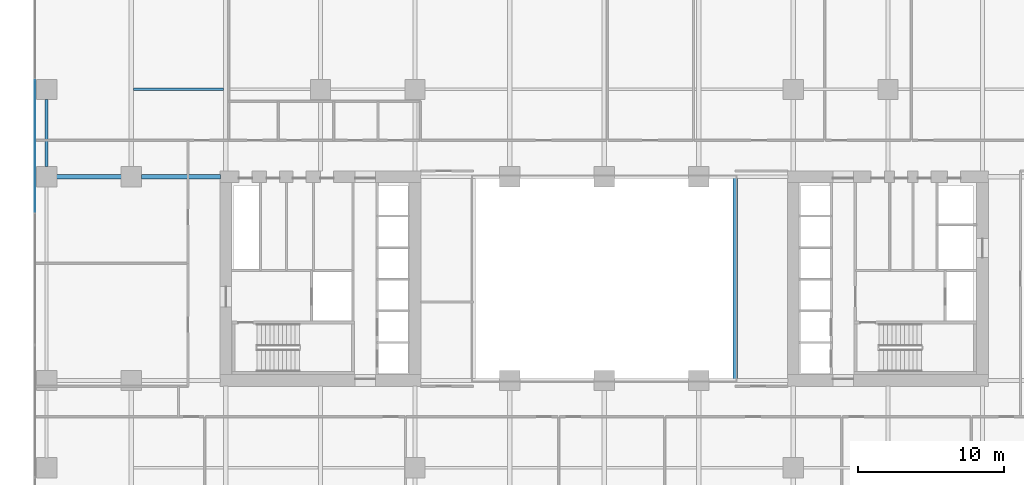
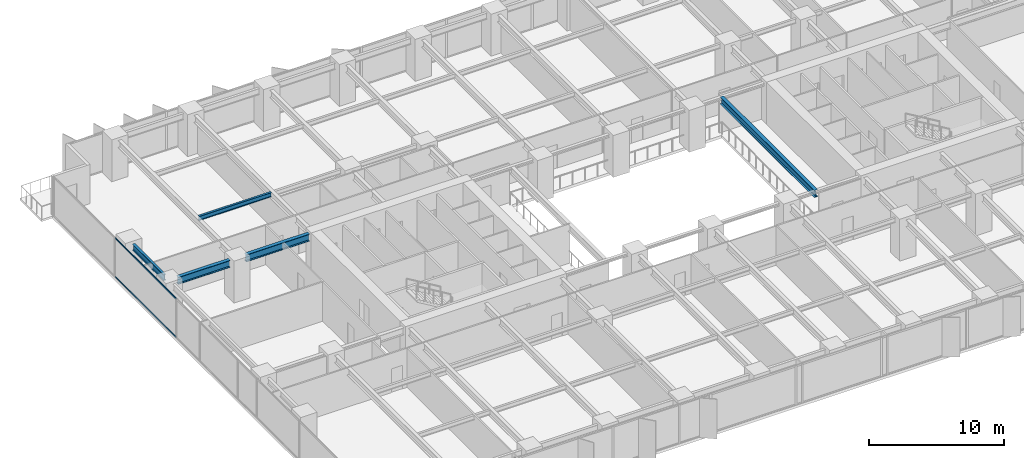
# One storey, part 6 of 20: 5 beams, 2 members, 1 element without a shape of its own.
"""IFC4 building model written with IfcOpenShell, lengths in metres."""

from ifc_helpers import new_model, si_unit, direction, frame, origin, origin_2d, place, context, subcontext, project, spatial, rectangle, i_section, extrude, material, layer, layer_set, material_profile, profile_set, type_object, element, aggregate, save


model = new_model("IFC4")

# Units and contexts
model_context = context("Model", 3, precision=1e-05, world=origin(), true_north=direction((0.0, 1.0)))
body_context = subcontext(model_context, "Body", "Model", "MODEL_VIEW")
ifc_project = project(units=[si_unit("LENGTHUNIT", "METRE"), si_unit("AREAUNIT", "SQUARE_METRE"), si_unit("VOLUMEUNIT", "CUBIC_METRE"), si_unit("PLANEANGLEUNIT", "RADIAN"), si_unit("MASSUNIT", "GRAM", prefix="KILO")], contexts=[model_context])

# Site, building, storey
site_placement = place(None, origin())
site = spatial("IfcSite", under=ifc_project, at=site_placement, CompositionType="ELEMENT")
building_placement = place(site_placement, origin())
building = spatial("IfcBuilding", under=site, at=building_placement, Name="Putna Gate Headquarters", CompositionType="ELEMENT")
storey_placement = place(building_placement, frame((0.0, 0.0, 73.39990234375)))
storey = spatial("IfcBuildingStorey", under=building, at=storey_placement, Name="L17", CompositionType="ELEMENT", Elevation=73.39990234375)

# Beams
ifc_material_1 = material(Name="Steel S355J2", Category="steel")
ifc_material_profile_1 = material_profile(ifc_material_1, i_section(OverallWidth=0.300048828125, OverallDepth=0.64990234375, WebThickness=0.01611328125, FlangeThickness=0.031005859375, at=origin_2d()), Name="Steel S355J2")
ifc_profile_set_1 = profile_set([ifc_material_profile_1], Name="Steel S355J2")
beam_type_1 = type_object("IfcBeamType", Name="BM-GIRD-Z1-HEB650", PredefinedType="USERDEFINED", material=ifc_profile_set_1)
beam_1_placement = place(storey_placement, frame((1.367919921875, 33.0, 3.22509765625), z_axis=(1.0, 0.0, 0.0), x_axis=(0.0, 1.0, 0.0)))
element("IfcBeam", 1, at=beam_1_placement, inside=storey, type_object=beam_type_1, Name="L17 West Wing Girder Y33-1", ObjectType="GIRDER", PredefinedType="USERDEFINED", context=body_context, shape_type="SweptSolid", body=[
    extrude(i_section(OverallWidth=0.300048828125, OverallDepth=0.64990234375, WebThickness=0.01611328125, FlangeThickness=0.031005859375, at=origin_2d()), origin(), (0.0, 0.0, 1.0), 4.444091796875),
])
beam_2_placement = place(storey_placement, frame((7.18798828125, 33.0, 3.22509765625), z_axis=(1.0, 0.0, 0.0), x_axis=(0.0, 1.0, 0.0)))
element("IfcBeam", 2, at=beam_2_placement, inside=storey, type_object=beam_type_1, Name="L17 West Wing Girder Y33-2", ObjectType="GIRDER", PredefinedType="USERDEFINED", context=body_context, shape_type="SweptSolid", body=[
    extrude(i_section(OverallWidth=0.300048828125, OverallDepth=0.64990234375, WebThickness=0.01611328125, FlangeThickness=0.031005859375, at=origin_2d()), origin(), (0.0, 0.0, 1.0), 5.427001953125),
])
beam_3_placement = place(storey_placement, frame((48.0, 19.010009765625, 3.22509765625), z_axis=(0.0, 1.0, 0.0), x_axis=(-1.0, 0.0, 0.0)))
element("IfcBeam", 3, at=beam_3_placement, inside=storey, type_object=beam_type_1, Name="L17 Atrium Trim Girder AE", ObjectType="GIRDER", PredefinedType="USERDEFINED", context=body_context, shape_type="SweptSolid", body=[
    extrude(i_section(OverallWidth=0.300048828125, OverallDepth=0.64990234375, WebThickness=0.01611328125, FlangeThickness=0.031005859375, at=origin_2d()), origin(), (0.0, 0.0, 1.0), 13.97998046875),
])
ifc_material_profile_2 = material_profile(ifc_material_1, i_section(OverallWidth=0.179931640625, OverallDepth=0.39990234375, WebThickness=0.008544921875, FlangeThickness=0.013427734375, at=origin_2d()), Name="Steel S355J2")
ifc_profile_set_2 = profile_set([ifc_material_profile_2], Name="Steel S355J2")
beam_type_2 = type_object("IfcBeamType", Name="BM-SEC-Z1-IPE400", PredefinedType="BEAM", material=ifc_profile_set_2)
beam_4_placement = place(storey_placement, frame((6.654052734375, 39.0, 3.35009765625), z_axis=(1.0, 0.0, 0.0), x_axis=(0.0, 1.0, 0.0)))
element("IfcBeam", 4, at=beam_4_placement, inside=storey, type_object=beam_type_2, Name="L17 North Secondary Beam 1", PredefinedType="BEAM", context=body_context, shape_type="SweptSolid", body=[
    extrude(i_section(OverallWidth=0.179931640625, OverallDepth=0.39990234375, WebThickness=0.008544921875, FlangeThickness=0.013427734375, at=origin_2d()), origin(), (0.0, 0.0, 1.0), 6.19189453125),
])
ifc_material_profile_3 = material_profile(ifc_material_1, i_section(OverallWidth=0.2099609375, OverallDepth=0.550048828125, WebThickness=0.010986328125, FlangeThickness=0.01708984375, at=origin_2d()), Name="Steel S355J2")
ifc_profile_set_3 = profile_set([ifc_material_profile_3], Name="Steel S355J2")
beam_type_3 = type_object("IfcBeamType", Name="BM-SPAN-Z1-IPE550", PredefinedType="SPANDREL", material=ifc_profile_set_3)
beam_5_placement = place(storey_placement, frame((0.679931640625, 33.68798828125, 3.275146484375), z_axis=(0.0, 1.0, 0.0), x_axis=(-1.0, 0.0, 0.0)))
element("IfcBeam", 5, at=beam_5_placement, inside=storey, type_object=beam_type_3, Name="L17 W End Spandrel 3", PredefinedType="SPANDREL", context=body_context, shape_type="SweptSolid", body=[
    extrude(i_section(OverallWidth=0.2099609375, OverallDepth=0.550048828125, WebThickness=0.010986328125, FlangeThickness=0.01708984375, at=origin_2d()), origin(), (0.0, 0.0, 1.0), 4.6240234375),
])

# Curtain wall, members
ifc_material_2 = material(Name="Anodised bronze aluminium curtain wall", Category="aluminium")
ifc_layer = layer(ifc_material_2, 0.179931640625)
ifc_layer_set = layer_set([ifc_layer], Name="Anodised bronze aluminium curtain wall")
curtain_wall_type = type_object("IfcCurtainWallType", Name="CW-SYS-Z1", PredefinedType="USERDEFINED", material=ifc_layer_set)
curtain_wall_placement = place(storey_placement, origin())
curtain_wall = element("IfcCurtainWall", 6, at=curtain_wall_placement, inside=storey, type_object=curtain_wall_type, Name="L17 West Curtain Wall", ObjectType="STICK CURTAIN WALL", PredefinedType="USERDEFINED")
ifc_material_3 = material(Name="Anodised bronze aluminium EN AW-6060", Category="aluminium")
ifc_material_profile_4 = material_profile(ifc_material_3, rectangle(XDim=0.06494140625, YDim=0.1201171875, at=origin_2d()), Name="Anodised bronze aluminium EN AW-6060")
ifc_profile_set_4 = profile_set([ifc_material_profile_4], Name="Anodised bronze aluminium EN AW-6060")
member_type = type_object("IfcMemberType", Name="TRAN-CWT-1", PredefinedType="USERDEFINED", material=ifc_profile_set_4)
member_1_placement = place(storey_placement, frame((-0.1201171875, 30.594970703125, 0.03271484375), z_axis=(0.0, 1.0, 0.0), x_axis=(-1.0, 0.0, 0.0)))
member_1 = element("IfcMember", 7, at=member_1_placement, type_object=member_type, Name="CWS-1 transom 4.1", ObjectType="TRANSOM", PredefinedType="USERDEFINED", context=body_context, shape_type="SweptSolid", body=[
    extrude(rectangle(XDim=0.06494140625, YDim=0.1201171875, at=origin_2d()), origin(), (0.0, 0.0, 1.0), 9.050048828125),
])
member_2_placement = place(storey_placement, frame((-0.1201171875, 30.594970703125, 3.517578125), z_axis=(0.0, 1.0, 0.0), x_axis=(-1.0, 0.0, 0.0)))
member_2 = element("IfcMember", 8, at=member_2_placement, type_object=member_type, Name="CWS-1 transom 4.2", ObjectType="TRANSOM", PredefinedType="USERDEFINED", context=body_context, shape_type="SweptSolid", body=[
    extrude(rectangle(XDim=0.06494140625, YDim=0.1201171875, at=origin_2d()), origin(), (0.0, 0.0, 1.0), 9.050048828125),
])
aggregate(curtain_wall, [member_1, member_2])

save(model, "model.ifc")
